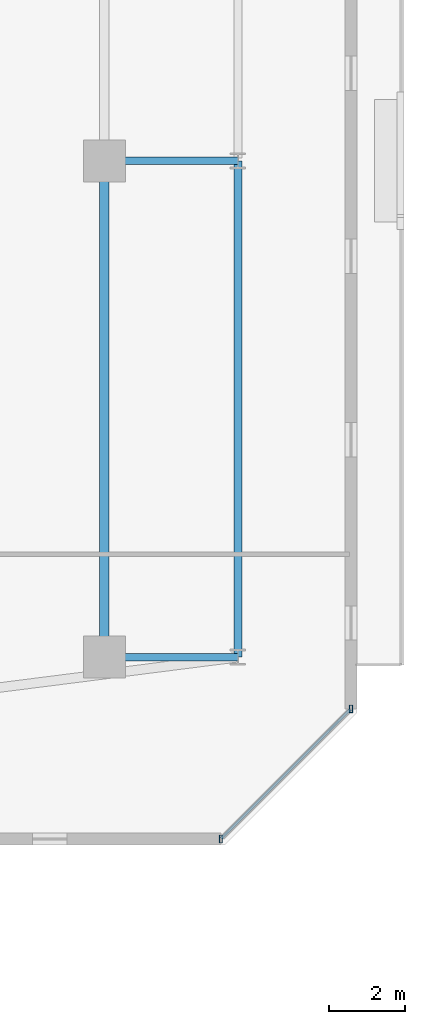
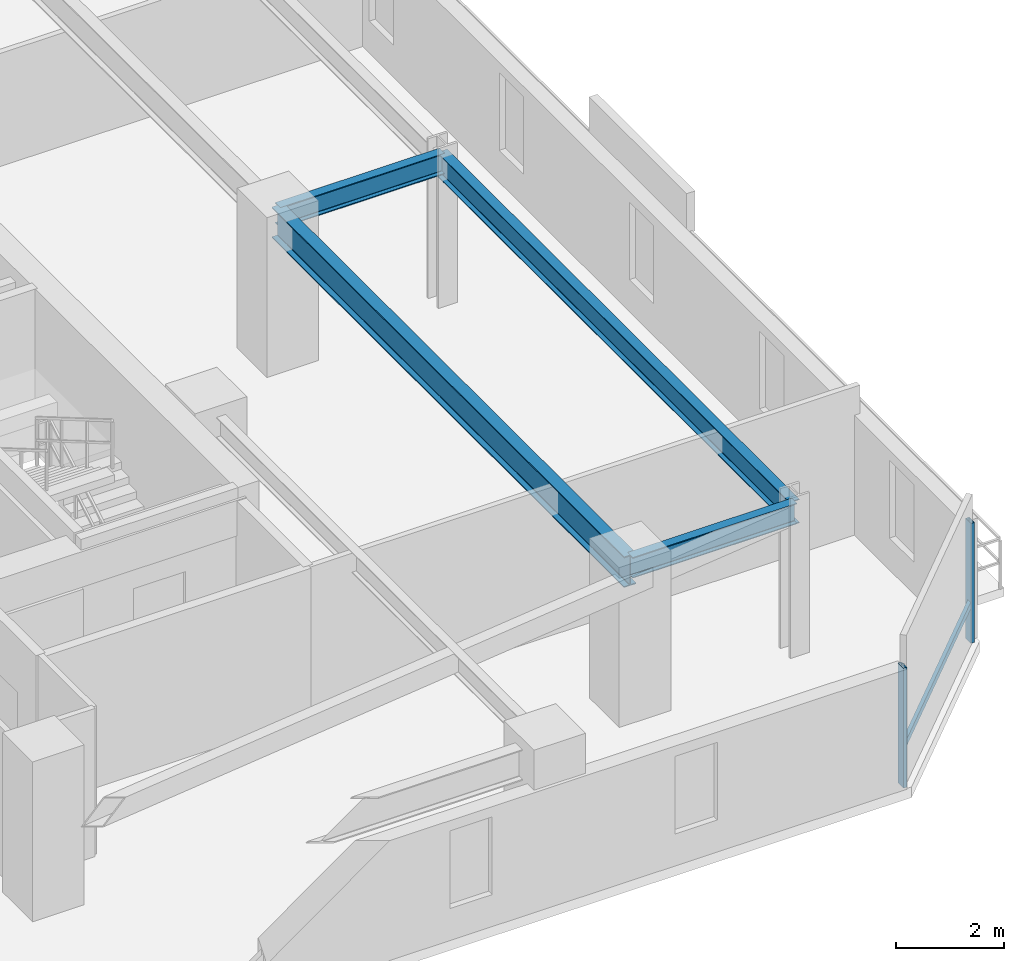
# One storey, part 14 of 33: 4 beams, 3 members, 1 element without a shape of its own.
"""IFC4 building model written with IfcOpenShell, lengths in metres."""

from ifc_helpers import new_model, si_unit, direction, frame, origin, origin_2d, place, context, subcontext, project, spatial, hollow_rectangle, i_section, extrude, material, material_profile, profile_set, type_object, element, aggregate, save


model = new_model("IFC4")

# Units and contexts
model_context = context("Model", 3, precision=1e-05, world=origin(), true_north=direction((0.0, 1.0)))
body_context = subcontext(model_context, "Body", "Model", "MODEL_VIEW")
ifc_project = project(units=[si_unit("LENGTHUNIT", "METRE"), si_unit("AREAUNIT", "SQUARE_METRE"), si_unit("VOLUMEUNIT", "CUBIC_METRE"), si_unit("PLANEANGLEUNIT", "RADIAN"), si_unit("MASSUNIT", "GRAM", prefix="KILO")], contexts=[model_context])

# Site, building, storey
site_placement = place(None, origin())
site = spatial("IfcSite", under=ifc_project, at=site_placement, CompositionType="ELEMENT")
building_placement = place(site_placement, origin())
building = spatial("IfcBuilding", under=site, at=building_placement, Name="Thornwick Lancets Civic Towers", CompositionType="ELEMENT")
storey_placement = place(building_placement, frame((0.0, 0.0, 159.89990234375)))
storey = spatial("IfcBuildingStorey", under=building, at=storey_placement, Name="L42", CompositionType="ELEMENT", Elevation=159.89990234375)

# Beams
ifc_material_1 = material(Name="Steel S355JR", Category="steel")
ifc_material_profile_1 = material_profile(ifc_material_1, i_section(OverallWidth=0.210693359375, OverallDepth=0.53955078125, WebThickness=0.01171875, FlangeThickness=0.018798828125, FilletRadius=0.0126953125, at=origin_2d()), Name="UKB 533x210x109")
ifc_profile_set_1 = profile_set([ifc_material_profile_1], Name="Steel S355JR")
beam_type_1 = type_object("IfcBeamType", Name="BM_EDGE_533_109", PredefinedType="SPANDREL", material=ifc_profile_set_1)
beam_1_placement = place(storey_placement, frame((109.300048828125, 14.0, 3.09033203125), z_axis=(0.0, 1.0, 0.0), x_axis=(-1.0, 0.0, 0.0)))
element("IfcBeam", 1, at=beam_1_placement, inside=storey, type_object=beam_type_1, Name="BM-EDGE-L42-B-S0-1", PredefinedType="SPANDREL", context=body_context, shape_type="SweptSolid", body=[
    extrude(i_section(OverallWidth=0.210693359375, OverallDepth=0.53955078125, WebThickness=0.01171875, FlangeThickness=0.018798828125, FilletRadius=0.0126953125, at=origin_2d()), origin(), (0.0, 0.0, 1.0), 13.0),
])
ifc_material_profile_2 = material_profile(ifc_material_1, i_section(OverallWidth=0.255859375, OverallDepth=0.69287109375, WebThickness=0.014404296875, FlangeThickness=0.023681640625, FilletRadius=0.01513671875, at=origin_2d()), Name="UKB 686x254x170")
ifc_profile_set_2 = profile_set([ifc_material_profile_2], Name="Steel S355JR")
beam_type_2 = type_object("IfcBeamType", Name="BM_GIRD_686_170", PredefinedType="BEAM", material=ifc_profile_set_2)
beam_2_placement = place(storey_placement, frame((105.800048828125, 14.0, 3.013671875), z_axis=(0.0, 1.0, 0.0), x_axis=(-1.0, 0.0, 0.0)))
element("IfcBeam", 2, at=beam_2_placement, inside=storey, type_object=beam_type_2, Name="BM-SPINE-L42-B-0-1", PredefinedType="BEAM", context=body_context, shape_type="SweptSolid", body=[
    extrude(i_section(OverallWidth=0.255859375, OverallDepth=0.69287109375, WebThickness=0.014404296875, FlangeThickness=0.023681640625, FilletRadius=0.01513671875, at=origin_2d()), origin(), (0.0, 0.0, 1.0), 13.0),
])
ifc_material_profile_3 = material_profile(ifc_material_1, i_section(OverallWidth=0.19287109375, OverallDepth=0.46728515625, WebThickness=0.011474609375, FlangeThickness=0.01953125, FilletRadius=0.01025390625, at=origin_2d()), Name="UKB 457x191x98")
ifc_profile_set_3 = profile_set([ifc_material_profile_3], Name="Steel S355JR")
beam_type_3 = type_object("IfcBeamType", Name="BM_JOIST_457_98", PredefinedType="JOIST", material=ifc_profile_set_3)
for number, where, z_axis, x_axis, name in (
    (3, (105.800048828125, 14.0, 3.12646484375), (1.0, 0.0, 0.0), (0.0, 1.0, 0.0), "BM-RAD-L42-B01"),
    (4, (105.800048828125, 27.0, 3.12646484375), (1.0, 0.0, 0.0), (0.0, 1.0, 0.0), "BM-RAD-L42-B02"),
):
    element("IfcBeam", number, at=place(storey_placement, frame(where, z_axis=z_axis, x_axis=x_axis)), inside=storey, type_object=beam_type_3, Name=name, PredefinedType="JOIST", context=body_context, shape_type="SweptSolid", body=[
        extrude(i_section(OverallWidth=0.19287109375, OverallDepth=0.46728515625, WebThickness=0.011474609375, FlangeThickness=0.01953125, FilletRadius=0.01025390625, at=origin_2d()), origin(), (0.0, 0.0, 1.0), 3.5),
    ])

# Curtain wall, members
ifc_material_2 = material(Name="Mid-zone chamfered-corner unitised glass curtain wall", Category="glass")
curtain_wall_type = type_object("IfcCurtainWallType", Name="CW_SYS_04", PredefinedType="NOTDEFINED", material=ifc_material_2)
curtain_wall_placement = place(storey_placement, origin())
curtain_wall = element("IfcCurtainWall", 5, at=curtain_wall_placement, inside=storey, type_object=curtain_wall_type, Name="L42 Curtain Wall CW-L42-B-E1", PredefinedType="NOTDEFINED")
ifc_material_3 = material(Name="Thermally broken bronze aluminium S355", Category="steel")
ifc_material_profile_4 = material_profile(ifc_material_3, hollow_rectangle(XDim=0.080078125, YDim=0.199951171875, WallThickness=0.006103515625, at=origin_2d()), Name="RHS 200x80x6")
ifc_profile_set_4 = profile_set([ifc_material_profile_4], Name="Thermally broken bronze aluminium S355")
member_type_1 = type_object("IfcMemberType", Name="CW_MUL_200", PredefinedType="MULLION", material=ifc_profile_set_4)
member_1_placement = place(storey_placement, frame((108.853515625, 9.238037109375, 0.0), z_axis=(0.0, 0.0, 1.0), x_axis=(1.0, 0.0, 0.0)))
member_1 = element("IfcMember", 6, at=member_1_placement, type_object=member_type_1, Name="CW-L42-B-E1 Mullion 0", PredefinedType="MULLION", context=body_context, shape_type="SweptSolid", body=[
    extrude(hollow_rectangle(XDim=0.080078125, YDim=0.199951171875, WallThickness=0.006103515625, at=origin_2d()), origin(), (0.0, 0.0, 1.0), 2.7001953125),
])
member_2_placement = place(storey_placement, frame((112.261962890625, 12.646484375, 0.0), z_axis=(0.0, 0.0, 1.0), x_axis=(1.0, 0.0, 0.0)))
member_2 = element("IfcMember", 7, at=member_2_placement, type_object=member_type_1, Name="CW-L42-B-E1 Mullion 1", PredefinedType="MULLION", context=body_context, shape_type="SweptSolid", body=[
    extrude(hollow_rectangle(XDim=0.080078125, YDim=0.199951171875, WallThickness=0.006103515625, at=origin_2d()), origin(), (0.0, 0.0, 1.0), 2.7001953125),
])
ifc_material_profile_5 = material_profile(ifc_material_3, hollow_rectangle(XDim=0.074951171875, YDim=0.14990234375, WallThickness=0.0048828125, at=origin_2d()), Name="RHS 150x75x5")
ifc_profile_set_5 = profile_set([ifc_material_profile_5], Name="Thermally broken bronze aluminium S355")
member_type_2 = type_object("IfcMemberType", Name="CW_TRN_150", PredefinedType="USERDEFINED", material=ifc_profile_set_5)
member_3_placement = place(storey_placement, frame((108.86767578125, 9.252197265625, 0.85009765625), z_axis=(0.707106781187, 0.707106781187, 0.0), x_axis=(-0.707106781187, 0.707106781187, 0.0)))
member_3 = element("IfcMember", 8, at=member_3_placement, type_object=member_type_2, Name="CW-L42-B-E1 Transom 0", ObjectType="TRANSOM", PredefinedType="USERDEFINED", context=body_context, shape_type="SweptSolid", body=[
    extrude(hollow_rectangle(XDim=0.074951171875, YDim=0.14990234375, WallThickness=0.0048828125, at=origin_2d()), origin(), (0.0, 0.0, 1.0), 4.7802734375),
])
aggregate(curtain_wall, [member_1, member_2, member_3])

save(model, "model.ifc")
